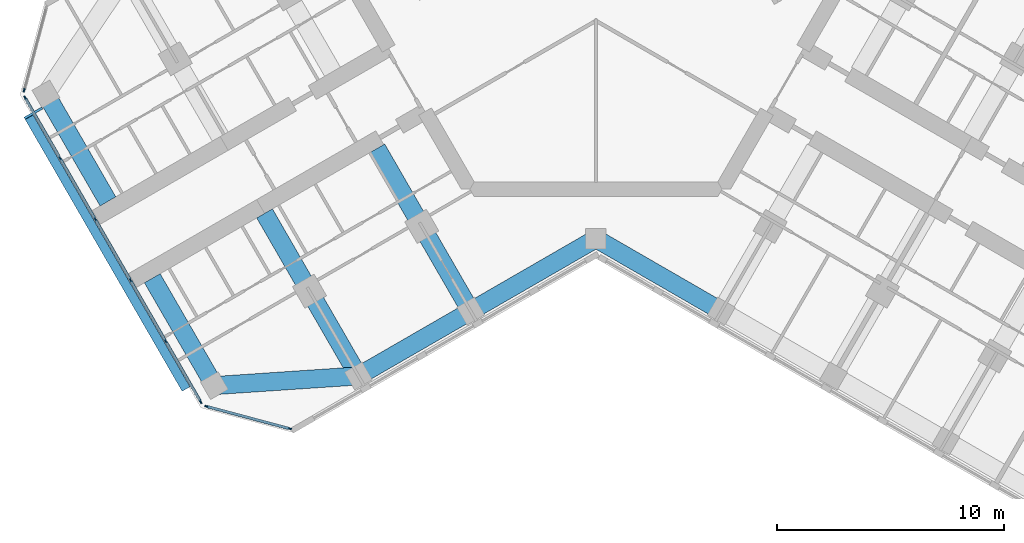
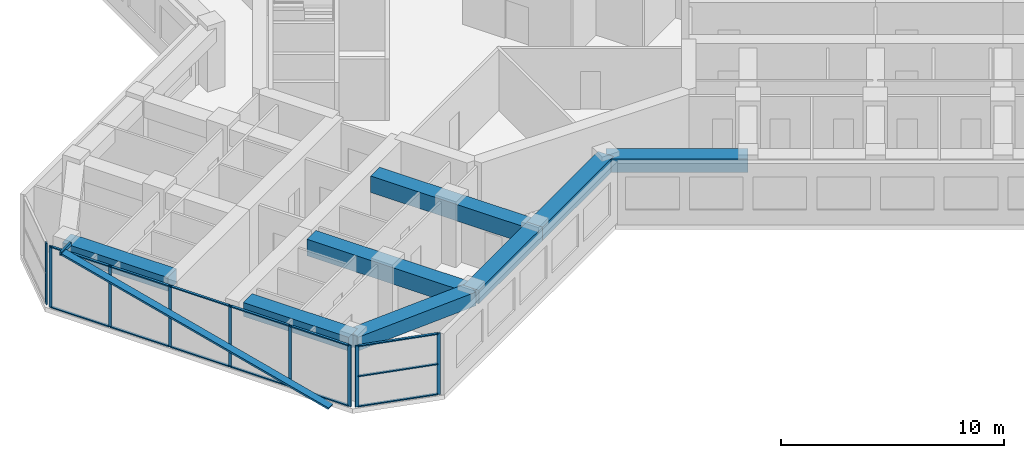
# One storey, part 2 of 16: 24 members, 8 beams, 3 elements without a shape of their own.
"""IFC4 building model written with IfcOpenShell, lengths in metres."""

from ifc_helpers import new_model, si_unit, direction, frame, origin, origin_2d, place, context, subcontext, project, spatial, rectangle, hollow_rectangle, extrude, material, material_profile, profile_set, type_object, element, aggregate, save


model = new_model("IFC4")

# Units and contexts
model_context = context("Model", 3, precision=1e-05, world=origin(), true_north=direction((0.0, 1.0)))
body_context = subcontext(model_context, "Body", "Model", "MODEL_VIEW")
ifc_project = project(units=[si_unit("LENGTHUNIT", "METRE"), si_unit("AREAUNIT", "SQUARE_METRE"), si_unit("VOLUMEUNIT", "CUBIC_METRE"), si_unit("PLANEANGLEUNIT", "RADIAN"), si_unit("MASSUNIT", "GRAM", prefix="KILO")], contexts=[model_context])

# Site, building, storey
site_placement = place(None, origin())
site = spatial("IfcSite", under=ifc_project, at=site_placement, CompositionType="ELEMENT")
building_placement = place(site_placement, origin())
building = spatial("IfcBuilding", under=site, at=building_placement, Name="Kosmar Iwan School Tower", CompositionType="ELEMENT")
storey_placement = place(building_placement, frame((0.0, 0.0, 197.39990234375)))
storey = spatial("IfcBuildingStorey", under=building, at=storey_placement, Name="L49", CompositionType="ELEMENT", Elevation=197.39990234375)

# Members
ifc_material_1 = material(Name="Black anodised aluminium", Category="aluminium")
ifc_material_profile_1 = material_profile(ifc_material_1, rectangle(XDim=0.10009765625, YDim=0.39990234375, at=origin_2d()), Name="FIN 100x400")
ifc_profile_set_1 = profile_set([ifc_material_profile_1], Name="Black anodised aluminium")
member_type_1 = type_object("IfcMemberType", Name="Diagonal fin 100x400", PredefinedType="USERDEFINED", material=ifc_profile_set_1)
member_1_placement = place(storey_placement, frame((-18.0283203125, -18.3740234375, -0.14990234375), z_axis=(-0.483800388566, 0.837965217343, 0.2524905514), x_axis=(0.126245460598, -0.218663124976, 0.96759935999)))
element("IfcMember", 1, at=member_1_placement, inside=storey, type_object=member_type_1, Name="Diagonal fin L49-F11", ObjectType="FIN", PredefinedType="USERDEFINED", context=body_context, shape_type="SweptSolid", body=[
    extrude(rectangle(XDim=0.10009765625, YDim=0.39990234375, at=origin_2d()), origin(), (0.0, 0.0, 1.0), 14.25830078125),
])
ifc_material_2 = material(Name="Steel S355", Category="steel")
ifc_material_profile_2 = material_profile(ifc_material_2, hollow_rectangle(XDim=0.10009765625, YDim=0.199951171875, WallThickness=0.008056640625, at=origin_2d()), Name="RHS 200x100x8")
ifc_profile_set_2 = profile_set([ifc_material_profile_2], Name="Steel S355")
member_type_2 = type_object("IfcMemberType", Name="Fin bracket RHS 200x100", PredefinedType="USERDEFINED", material=ifc_profile_set_2)
member_2_placement = place(storey_placement, frame((-24.34619140625, -6.031005859375, 3.47509765625), z_axis=(-0.865964261186, -0.500105887137, 0.0), x_axis=(0.500105887137, -0.865964261186, 0.0)))
element("IfcMember", 2, at=member_2_placement, inside=storey, type_object=member_type_2, Name="Fin bracket L50", ObjectType="FIN BRACKET", PredefinedType="USERDEFINED", context=body_context, shape_type="SweptSolid", body=[
    extrude(hollow_rectangle(XDim=0.10009765625, YDim=0.199951171875, WallThickness=0.008056640625, at=origin_2d()), origin(), (0.0, 0.0, 1.0), 0.900146484375),
])

# Curtain wall, member
ifc_material_3 = material(Name="Dark glass in black aluminium frame", Category="aluminium")
curtain_wall_type_1 = type_object("IfcCurtainWallType", Name="Chamfer curtain wall dark glass", PredefinedType="USERDEFINED", material=ifc_material_3)
curtain_wall_1_placement = place(storey_placement, origin())
curtain_wall_1 = element("IfcCurtainWall", 3, at=curtain_wall_1_placement, inside=storey, type_object=curtain_wall_type_1, Name="Curtain wall L49-F10", ObjectType="FACETED CURTAIN WALL", PredefinedType="USERDEFINED")
ifc_material_4 = material(Name="Black anodised aluminium", Category="aluminium")
ifc_material_profile_3 = material_profile(ifc_material_4, rectangle(XDim=0.06005859375, YDim=0.159912109375, at=origin_2d()), Name="MULLION 60x160")
ifc_profile_set_3 = profile_set([ifc_material_profile_3], Name="Black anodised aluminium")
member_type_3 = type_object("IfcMemberType", Name="Mullion 60x160", PredefinedType="MULLION", material=ifc_profile_set_3)
member_3_placement = place(storey_placement, frame((-25.141845703125, -5.24853515625, 0.0), z_axis=(0.0, 0.0, 1.0), x_axis=(0.965925875495, -0.258818861462, 0.0)))
member_3 = element("IfcMember", 4, at=member_3_placement, type_object=member_type_3, Name="CW2 mullion 2", PredefinedType="MULLION", context=body_context, shape_type="SweptSolid", body=[
    extrude(rectangle(XDim=0.06005859375, YDim=0.159912109375, at=origin_2d()), origin(), (0.0, 0.0, 1.0), 3.35009765625),
])
aggregate(curtain_wall_1, [member_3])

# Curtain wall, members
ifc_material_5 = material(Name="Dark glass in black aluminium frame", Category="aluminium")
curtain_wall_type_2 = type_object("IfcCurtainWallType", Name="Tower curtain wall dark glass", PredefinedType="USERDEFINED", material=ifc_material_5)
curtain_wall_2_placement = place(storey_placement, origin())
curtain_wall_2 = element("IfcCurtainWall", 5, at=curtain_wall_2_placement, inside=storey, type_object=curtain_wall_type_2, Name="Curtain wall L49-F11", ObjectType="UNITISED CURTAIN WALL", PredefinedType="USERDEFINED")
member_4_placement = place(storey_placement, frame((-25.098388671875, -5.578369140625, 0.0), z_axis=(0.0, 0.0, 1.0), x_axis=(0.866025405329, 0.499999997325, 0.0)))
member_4 = element("IfcMember", 6, at=member_4_placement, type_object=member_type_3, Name="CW1 mullion 1", PredefinedType="MULLION", context=body_context, shape_type="SweptSolid", body=[
    extrude(rectangle(XDim=0.06005859375, YDim=0.159912109375, at=origin_2d()), origin(), (0.0, 0.0, 1.0), 3.35009765625),
])
member_5_placement = place(storey_placement, frame((-23.563720703125, -8.236328125, 0.0), z_axis=(0.0, 0.0, 1.0), x_axis=(0.866025405329, 0.499999997325, 0.0)))
member_5 = element("IfcMember", 7, at=member_5_placement, type_object=member_type_3, Name="CW1 mullion 2", PredefinedType="MULLION", context=body_context, shape_type="SweptSolid", body=[
    extrude(rectangle(XDim=0.06005859375, YDim=0.159912109375, at=origin_2d()), origin(), (0.0, 0.0, 1.0), 3.35009765625),
])
member_6_placement = place(storey_placement, frame((-22.01416015625, -10.92041015625, 0.0), z_axis=(0.0, 0.0, 1.0), x_axis=(0.866025405329, 0.499999997325, 0.0)))
member_6 = element("IfcMember", 8, at=member_6_placement, type_object=member_type_3, Name="CW1 mullion 3", PredefinedType="MULLION", context=body_context, shape_type="SweptSolid", body=[
    extrude(rectangle(XDim=0.06005859375, YDim=0.159912109375, at=origin_2d()), origin(), (0.0, 0.0, 1.0), 3.35009765625),
])
member_7_placement = place(storey_placement, frame((-20.46435546875, -13.6044921875, 0.0), z_axis=(0.0, 0.0, 1.0), x_axis=(0.866025405329, 0.499999997325, 0.0)))
member_7 = element("IfcMember", 9, at=member_7_placement, type_object=member_type_3, Name="CW1 mullion 4", PredefinedType="MULLION", context=body_context, shape_type="SweptSolid", body=[
    extrude(rectangle(XDim=0.06005859375, YDim=0.159912109375, at=origin_2d()), origin(), (0.0, 0.0, 1.0), 3.35009765625),
])
member_8_placement = place(storey_placement, frame((-18.914794921875, -16.28857421875, 0.0), z_axis=(0.0, 0.0, 1.0), x_axis=(0.866025405329, 0.499999997325, 0.0)))
member_8 = element("IfcMember", 10, at=member_8_placement, type_object=member_type_3, Name="CW1 mullion 5", PredefinedType="MULLION", context=body_context, shape_type="SweptSolid", body=[
    extrude(rectangle(XDim=0.06005859375, YDim=0.159912109375, at=origin_2d()), origin(), (0.0, 0.0, 1.0), 3.35009765625),
])
member_9_placement = place(storey_placement, frame((-17.380126953125, -18.94677734375, 0.0), z_axis=(0.0, 0.0, 1.0), x_axis=(0.866025405329, 0.499999997325, 0.0)))
member_9 = element("IfcMember", 11, at=member_9_placement, type_object=member_type_3, Name="CW1 mullion 6", PredefinedType="MULLION", context=body_context, shape_type="SweptSolid", body=[
    extrude(rectangle(XDim=0.06005859375, YDim=0.159912109375, at=origin_2d()), origin(), (0.0, 0.0, 1.0), 3.35009765625),
])

curtain_wall_3_placement = place(storey_placement, origin())
curtain_wall_3 = element("IfcCurtainWall", 12, at=curtain_wall_3_placement, inside=storey, type_object=curtain_wall_type_1, Name="Curtain wall L49-F12", ObjectType="FACETED CURTAIN WALL", PredefinedType="USERDEFINED")
member_10_placement = place(storey_placement, frame((-17.1162109375, -19.149169921875, 0.0), z_axis=(0.0, 0.0, 1.0), x_axis=(0.258818861462, 0.965925875495, 0.0)))
member_10 = element("IfcMember", 13, at=member_10_placement, type_object=member_type_3, Name="CW2 mullion 1", PredefinedType="MULLION", context=body_context, shape_type="SweptSolid", body=[
    extrude(rectangle(XDim=0.06005859375, YDim=0.159912109375, at=origin_2d()), origin(), (0.0, 0.0, 1.0), 3.35009765625),
])
member_11_placement = place(storey_placement, frame((-13.466064453125, -20.127197265625, 0.0), z_axis=(0.0, 0.0, 1.0), x_axis=(0.258818861462, 0.965925875495, 0.0)))
member_11 = element("IfcMember", 14, at=member_11_placement, type_object=member_type_3, Name="CW2 mullion 2", PredefinedType="MULLION", context=body_context, shape_type="SweptSolid", body=[
    extrude(rectangle(XDim=0.06005859375, YDim=0.159912109375, at=origin_2d()), origin(), (0.0, 0.0, 1.0), 3.35009765625),
])

# Beams
ifc_material_6 = material(Name="Concrete C50/60", Category="concrete")
ifc_material_profile_4 = material_profile(ifc_material_6, rectangle(XDim=0.800048828125, YDim=0.75, at=origin_2d()), Name="RC 800x750")
ifc_profile_set_4 = profile_set([ifc_material_profile_4], Name="Concrete C50/60")
beam_type_1 = type_object("IfcBeamType", Name="RC edge beam 800x750", PredefinedType="BEAM", material=ifc_profile_set_4)
beam_1_placement = place(storey_placement, frame((0.0, -11.77783203125, 2.97509765625), z_axis=(-0.866014293216, -0.500019243575, 0.0), x_axis=(0.500019243575, -0.866014293216, 0.0)))
element("IfcBeam", 15, at=beam_1_placement, inside=storey, type_object=beam_type_1, Name="Edge beam BL1", PredefinedType="BEAM", context=body_context, shape_type="SweptSolid", body=[
    extrude(rectangle(XDim=0.800048828125, YDim=0.75, at=origin_2d()), origin(), (0.0, 0.0, 1.0), 6.361083984375),
])
beam_2_placement = place(storey_placement, frame((-5.5087890625, -14.95849609375, 2.97509765625), z_axis=(-0.866033658841, -0.49998570155, 0.0), x_axis=(0.49998570155, -0.866033658841, 0.0)))
element("IfcBeam", 16, at=beam_2_placement, inside=storey, type_object=beam_type_1, Name="Edge beam BL2", PredefinedType="BEAM", context=body_context, shape_type="SweptSolid", body=[
    extrude(rectangle(XDim=0.800048828125, YDim=0.75, at=origin_2d()), origin(), (0.0, 0.0, 1.0), 5.699951171875),
])
beam_3_placement = place(storey_placement, frame((0.0, -11.77783203125, 2.97509765625), z_axis=(0.866014293216, -0.500019243575, 0.0), x_axis=(0.500019243575, 0.866014293216, 0.0)))
element("IfcBeam", 17, at=beam_3_placement, inside=storey, type_object=beam_type_1, Name="Edge beam CR1", PredefinedType="BEAM", context=body_context, shape_type="SweptSolid", body=[
    extrude(rectangle(XDim=0.800048828125, YDim=0.75, at=origin_2d()), origin(), (0.0, 0.0, 1.0), 6.361083984375),
])
ifc_material_7 = material(Name="Concrete C50/60", Category="concrete")
ifc_material_profile_5 = material_profile(ifc_material_7, rectangle(XDim=0.800048828125, YDim=0.75, at=origin_2d()), Name="RC 800x750")
ifc_profile_set_5 = profile_set([ifc_material_profile_5], Name="Concrete C50/60")
beam_type_2 = type_object("IfcBeamType", Name="RC tip beam 800x750", PredefinedType="BEAM", material=ifc_profile_set_5)
beam_4_placement = place(storey_placement, frame((-10.445068359375, -17.808349609375, 2.97509765625), z_axis=(-0.997755118724, -0.066968074933, 0.0), x_axis=(0.066968074933, -0.997755118724, 0.0)))
element("IfcBeam", 18, at=beam_4_placement, inside=storey, type_object=beam_type_2, Name="Tip beam BL", PredefinedType="BEAM", context=body_context, shape_type="SweptSolid", body=[
    extrude(rectangle(XDim=0.800048828125, YDim=0.75, at=origin_2d()), origin(), (0.0, 0.0, 1.0), 6.3505859375),
])
beam_5_placement = place(storey_placement, frame((-16.781494140625, -18.233642578125, 2.97509765625), z_axis=(-0.500002931134, 0.866023711487, 0.0), x_axis=(-0.866023711487, -0.500002931134, 0.0)))
element("IfcBeam", 19, at=beam_5_placement, inside=storey, type_object=beam_type_2, Name="Tip beam BL to corridor wall", PredefinedType="BEAM", context=body_context, shape_type="SweptSolid", body=[
    extrude(rectangle(XDim=0.800048828125, YDim=0.75, at=origin_2d()), origin(), (0.0, 0.0, 1.0), 5.4501953125),
])
beam_6_placement = place(storey_placement, frame((-24.181396484375, -5.41650390625, 2.97509765625), z_axis=(0.499988730927, -0.866031909889, 0.0), x_axis=(0.866031909889, 0.499988730927, 0.0)))
element("IfcBeam", 20, at=beam_6_placement, inside=storey, type_object=beam_type_2, Name="Tip beam BR to corridor wall", PredefinedType="BEAM", context=body_context, shape_type="SweptSolid", body=[
    extrude(rectangle(XDim=0.800048828125, YDim=0.75, at=origin_2d()), origin(), (0.0, 0.0, 1.0), 5.449951171875),
])
ifc_material_8 = material(Name="Concrete C50/60", Category="concrete")
ifc_material_profile_6 = material_profile(ifc_material_8, rectangle(XDim=0.800048828125, YDim=0.89990234375, at=origin_2d()), Name="RC 800x900")
ifc_profile_set_6 = profile_set([ifc_material_profile_6], Name="Concrete C50/60")
beam_type_3 = type_object("IfcBeamType", Name="RC transverse beam 800x900", PredefinedType="BEAM", material=ifc_profile_set_6)
beam_7_placement = place(storey_placement, frame((-5.5087890625, -14.95849609375, 2.900146484375), z_axis=(-0.499996545922, 0.866027397988, 0.0), x_axis=(-0.866027397988, -0.499996545922, 0.0)))
element("IfcBeam", 21, at=beam_7_placement, inside=storey, type_object=beam_type_3, Name="Transverse beam BL1", PredefinedType="BEAM", context=body_context, shape_type="SweptSolid", body=[
    extrude(rectangle(XDim=0.800048828125, YDim=0.89990234375, at=origin_2d()), origin(), (0.0, 0.0, 1.0), 8.25),
])
beam_8_placement = place(storey_placement, frame((-10.445068359375, -17.808349609375, 2.900146484375), z_axis=(-0.500009360108, 0.866019999656, 0.0), x_axis=(-0.866019999656, -0.500009360108, 0.0)))
element("IfcBeam", 22, at=beam_8_placement, inside=storey, type_object=beam_type_3, Name="Transverse beam BL2", PredefinedType="BEAM", context=body_context, shape_type="SweptSolid", body=[
    extrude(rectangle(XDim=0.800048828125, YDim=0.89990234375, at=origin_2d()), origin(), (0.0, 0.0, 1.0), 8.249755859375),
])

# Member
ifc_material_9 = material(Name="Black anodised aluminium", Category="aluminium")
ifc_material_profile_7 = material_profile(ifc_material_9, rectangle(XDim=0.1201171875, YDim=0.06005859375, at=origin_2d()), Name="TRANSOM 60x120")
ifc_profile_set_7 = profile_set([ifc_material_profile_7], Name="Black anodised aluminium")
member_type_4 = type_object("IfcMemberType", Name="Transom 60x120", PredefinedType="USERDEFINED", material=ifc_profile_set_7)
member_12_placement = place(storey_placement, frame((-25.08349609375, -5.604248046875, 0.030029296875), z_axis=(0.499986971506, -0.866032925658, 0.0), x_axis=(0.866032925658, 0.499986971506, 0.0)))
member_12 = element("IfcMember", 23, at=member_12_placement, type_object=member_type_4, Name="CW1 transom 1.1", ObjectType="TRANSOM", PredefinedType="USERDEFINED", context=body_context, shape_type="SweptSolid", body=[
    extrude(rectangle(XDim=0.1201171875, YDim=0.06005859375, at=origin_2d()), origin(), (0.0, 0.0, 1.0), 3.00927734375),
])

member_13_placement = place(storey_placement, frame((-25.08349609375, -5.604248046875, 3.320068359375), z_axis=(0.499986971506, -0.866032925658, 0.0), x_axis=(0.866032925658, 0.499986971506, 0.0)))
member_13 = element("IfcMember", 24, at=member_13_placement, type_object=member_type_4, Name="CW1 transom 1.2", ObjectType="TRANSOM", PredefinedType="USERDEFINED", context=body_context, shape_type="SweptSolid", body=[
    extrude(rectangle(XDim=0.1201171875, YDim=0.06005859375, at=origin_2d()), origin(), (0.0, 0.0, 1.0), 3.00927734375),
])

member_14_placement = place(storey_placement, frame((-23.548828125, -8.262451171875, 0.030029296875), z_axis=(0.500035348339, -0.866004994449, 0.0), x_axis=(0.866004994449, 0.500035348339, 0.0)))
member_14 = element("IfcMember", 25, at=member_14_placement, type_object=member_type_4, Name="CW1 transom 2.1", ObjectType="TRANSOM", PredefinedType="USERDEFINED", context=body_context, shape_type="SweptSolid", body=[
    extrude(rectangle(XDim=0.1201171875, YDim=0.06005859375, at=origin_2d()), origin(), (0.0, 0.0, 1.0), 3.039306640625),
])

member_15_placement = place(storey_placement, frame((-23.548828125, -8.262451171875, 3.320068359375), z_axis=(0.500035348339, -0.866004994449, 0.0), x_axis=(0.866004994449, 0.500035348339, 0.0)))
member_15 = element("IfcMember", 26, at=member_15_placement, type_object=member_type_4, Name="CW1 transom 2.2", ObjectType="TRANSOM", PredefinedType="USERDEFINED", context=body_context, shape_type="SweptSolid", body=[
    extrude(rectangle(XDim=0.1201171875, YDim=0.06005859375, at=origin_2d()), origin(), (0.0, 0.0, 1.0), 3.039306640625),
])

member_16_placement = place(storey_placement, frame((-21.9990234375, -10.946533203125, 0.030029296875), z_axis=(0.499975102327, -0.866039777986, 0.0), x_axis=(0.866039777986, 0.499975102327, 0.0)))
member_16 = element("IfcMember", 27, at=member_16_placement, type_object=member_type_4, Name="CW1 transom 3.1", ObjectType="TRANSOM", PredefinedType="USERDEFINED", context=body_context, shape_type="SweptSolid", body=[
    extrude(rectangle(XDim=0.1201171875, YDim=0.06005859375, at=origin_2d()), origin(), (0.0, 0.0, 1.0), 3.039306640625),
])

member_17_placement = place(storey_placement, frame((-21.9990234375, -10.946533203125, 3.320068359375), z_axis=(0.499975102327, -0.866039777986, 0.0), x_axis=(0.866039777986, 0.499975102327, 0.0)))
member_17 = element("IfcMember", 28, at=member_17_placement, type_object=member_type_4, Name="CW1 transom 3.2", ObjectType="TRANSOM", PredefinedType="USERDEFINED", context=body_context, shape_type="SweptSolid", body=[
    extrude(rectangle(XDim=0.1201171875, YDim=0.06005859375, at=origin_2d()), origin(), (0.0, 0.0, 1.0), 3.039306640625),
])

member_18_placement = place(storey_placement, frame((-20.449462890625, -13.630615234375, 0.030029296875), z_axis=(0.500035348339, -0.866004994449, 0.0), x_axis=(0.866004994449, 0.500035348339, 0.0)))
member_18 = element("IfcMember", 29, at=member_18_placement, type_object=member_type_4, Name="CW1 transom 4.1", ObjectType="TRANSOM", PredefinedType="USERDEFINED", context=body_context, shape_type="SweptSolid", body=[
    extrude(rectangle(XDim=0.1201171875, YDim=0.06005859375, at=origin_2d()), origin(), (0.0, 0.0, 1.0), 3.039306640625),
])

member_19_placement = place(storey_placement, frame((-20.449462890625, -13.630615234375, 3.320068359375), z_axis=(0.500035348339, -0.866004994449, 0.0), x_axis=(0.866004994449, 0.500035348339, 0.0)))
member_19 = element("IfcMember", 30, at=member_19_placement, type_object=member_type_4, Name="CW1 transom 4.2", ObjectType="TRANSOM", PredefinedType="USERDEFINED", context=body_context, shape_type="SweptSolid", body=[
    extrude(rectangle(XDim=0.1201171875, YDim=0.06005859375, at=origin_2d()), origin(), (0.0, 0.0, 1.0), 3.039306640625),
])

member_20_placement = place(storey_placement, frame((-18.89990234375, -16.314697265625, 0.030029296875), z_axis=(0.500022102064, -0.866012642776, 0.0), x_axis=(0.866012642776, 0.500022102064, 0.0)))
member_20 = element("IfcMember", 31, at=member_20_placement, type_object=member_type_4, Name="CW1 transom 5.1", ObjectType="TRANSOM", PredefinedType="USERDEFINED", context=body_context, shape_type="SweptSolid", body=[
    extrude(rectangle(XDim=0.1201171875, YDim=0.06005859375, at=origin_2d()), origin(), (0.0, 0.0, 1.0), 3.009033203125),
])

member_21_placement = place(storey_placement, frame((-18.89990234375, -16.314697265625, 3.320068359375), z_axis=(0.500022102064, -0.866012642776, 0.0), x_axis=(0.866012642776, 0.500022102064, 0.0)))
member_21 = element("IfcMember", 32, at=member_21_placement, type_object=member_type_4, Name="CW1 transom 5.2", ObjectType="TRANSOM", PredefinedType="USERDEFINED", context=body_context, shape_type="SweptSolid", body=[
    extrude(rectangle(XDim=0.1201171875, YDim=0.06005859375, at=origin_2d()), origin(), (0.0, 0.0, 1.0), 3.009033203125),
])

aggregate(curtain_wall_2, [member_4, member_5, member_6, member_7, member_8, member_9, member_12, member_13, member_14, member_15, member_16, member_17, member_18, member_19, member_20, member_21])

member_22_placement = place(storey_placement, frame((-17.08740234375, -19.156982421875, 0.030029296875), z_axis=(0.965940141052, -0.258765615768, 0.0), x_axis=(0.258765615768, 0.965940141052, 0.0)))
member_22 = element("IfcMember", 33, at=member_22_placement, type_object=member_type_4, Name="CW2 transom 1.1", ObjectType="TRANSOM", PredefinedType="USERDEFINED", context=body_context, shape_type="SweptSolid", body=[
    extrude(rectangle(XDim=0.1201171875, YDim=0.06005859375, at=origin_2d()), origin(), (0.0, 0.0, 1.0), 3.71923828125),
])

member_23_placement = place(storey_placement, frame((-17.08740234375, -19.156982421875, 1.675048828125), z_axis=(0.965940141052, -0.258765615768, 0.0), x_axis=(0.258765615768, 0.965940141052, 0.0)))
member_23 = element("IfcMember", 34, at=member_23_placement, type_object=member_type_4, Name="CW2 transom 1.2", ObjectType="TRANSOM", PredefinedType="USERDEFINED", context=body_context, shape_type="SweptSolid", body=[
    extrude(rectangle(XDim=0.1201171875, YDim=0.06005859375, at=origin_2d()), origin(), (0.0, 0.0, 1.0), 3.71923828125),
])

member_24_placement = place(storey_placement, frame((-17.08740234375, -19.156982421875, 3.320068359375), z_axis=(0.965940141052, -0.258765615768, 0.0), x_axis=(0.258765615768, 0.965940141052, 0.0)))
member_24 = element("IfcMember", 35, at=member_24_placement, type_object=member_type_4, Name="CW2 transom 1.3", ObjectType="TRANSOM", PredefinedType="USERDEFINED", context=body_context, shape_type="SweptSolid", body=[
    extrude(rectangle(XDim=0.1201171875, YDim=0.06005859375, at=origin_2d()), origin(), (0.0, 0.0, 1.0), 3.71923828125),
])

aggregate(curtain_wall_3, [member_10, member_11, member_22, member_23, member_24])

save(model, "model.ifc")
